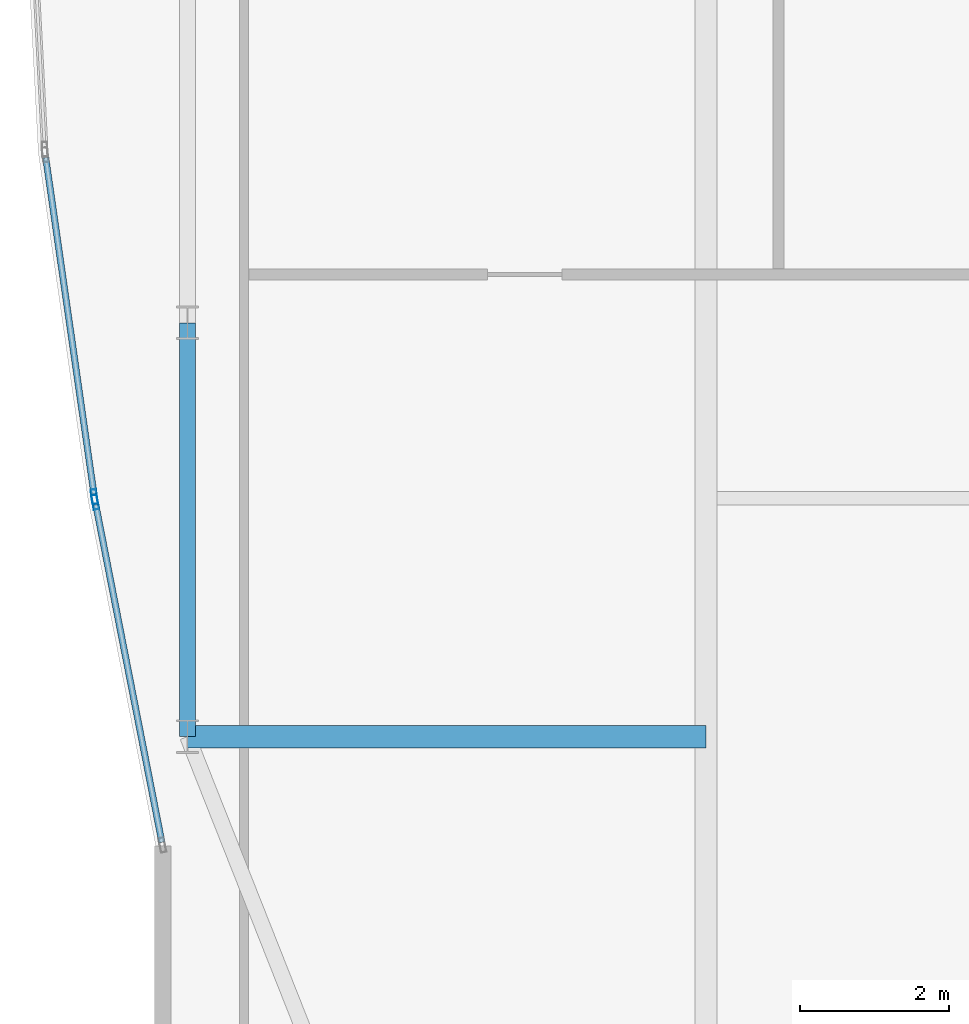
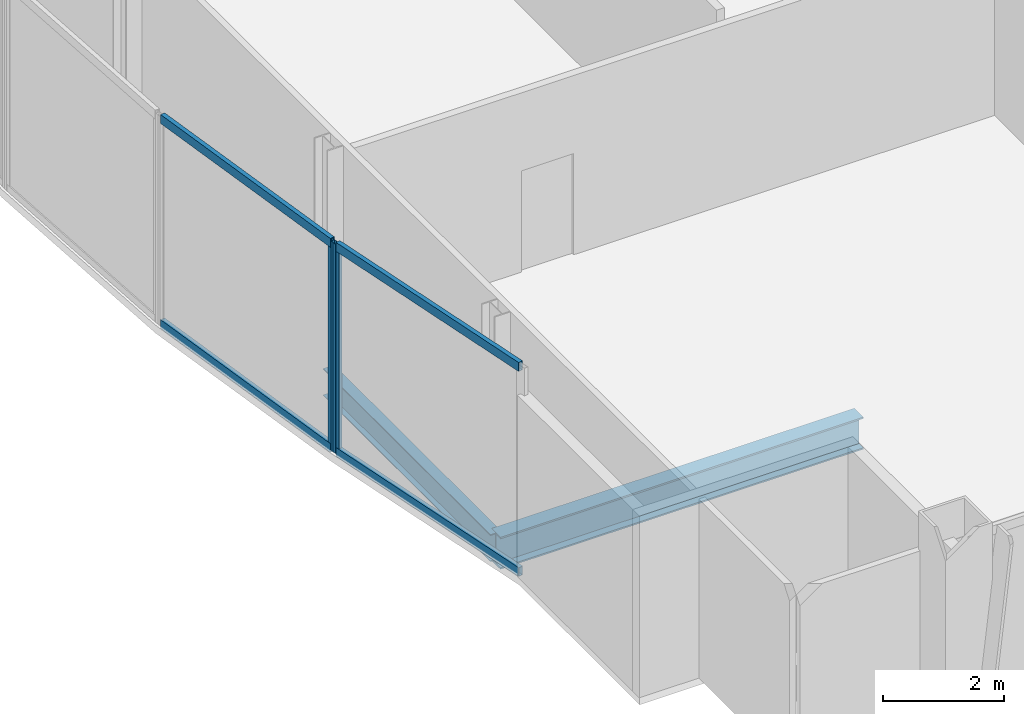
# One storey, part 5 of 27: 6 members, 2 beams, 2 elements without a shape of their own.
"""IFC4 building model written with IfcOpenShell, lengths in metres."""

from ifc_helpers import new_model, si_unit, direction, frame, origin, origin_2d, place, context, subcontext, project, spatial, hollow_rectangle, i_section, extrude, material, material_profile, profile_set, type_object, element, aggregate, save


model = new_model("IFC4")

# Units and contexts
model_context = context("Model", 3, precision=1e-05, world=origin(), true_north=direction((0.0, 1.0)))
body_context = subcontext(model_context, "Body", "Model", "MODEL_VIEW")
ifc_project = project(units=[si_unit("LENGTHUNIT", "METRE"), si_unit("AREAUNIT", "SQUARE_METRE"), si_unit("VOLUMEUNIT", "CUBIC_METRE"), si_unit("PLANEANGLEUNIT", "RADIAN"), si_unit("MASSUNIT", "GRAM", prefix="KILO")], contexts=[model_context])

# Site, building, storey
site_placement = place(None, origin())
site = spatial("IfcSite", under=ifc_project, at=site_placement, CompositionType="ELEMENT")
building_placement = place(site_placement, origin())
building = spatial("IfcBuilding", under=site, at=building_placement, Name="Khoronbel Lancet Exchange", CompositionType="ELEMENT")
storey_placement = place(building_placement, frame((0.0, 0.0, 310.199951171875)))
storey = spatial("IfcBuildingStorey", under=building, at=storey_placement, Name="L80", CompositionType="ELEMENT", Elevation=310.199951171875)

# Beams
ifc_material_1 = material(Name="Steel S355", Category="steel")
ifc_material_profile_1 = material_profile(ifc_material_1, i_section(OverallWidth=0.300048828125, OverallDepth=0.64990234375, WebThickness=0.01611328125, FlangeThickness=0.031005859375, at=origin_2d()), Name="HEB 650")
ifc_profile_set_1 = profile_set([ifc_material_profile_1], Name="Steel S355")
beam_type_1 = type_object("IfcBeamType", Name="BM-BG4", PredefinedType="BEAM", material=ifc_profile_set_1)
beam_1_placement = place(storey_placement, frame((11.27001953125, 19.199951171875, -0.48486328125), z_axis=(1.0, 0.0, 0.0), x_axis=(0.0, 1.0, 0.0)))
element("IfcBeam", 1, at=beam_1_placement, inside=storey, type_object=beam_type_1, Name="Level L80 west lens tie girder LG1W", PredefinedType="BEAM", context=body_context, shape_type="SweptSolid", body=[
    extrude(i_section(OverallWidth=0.300048828125, OverallDepth=0.64990234375, WebThickness=0.01611328125, FlangeThickness=0.031005859375, at=origin_2d()), origin(), (0.0, 0.0, 1.0), 6.955078125),
])
ifc_material_profile_2 = material_profile(ifc_material_1, i_section(OverallWidth=0.2099609375, OverallDepth=0.550048828125, WebThickness=0.010986328125, FlangeThickness=0.01708984375, at=origin_2d()), Name="IPE 550")
ifc_profile_set_2 = profile_set([ifc_material_profile_2], Name="Steel S355")
beam_type_2 = type_object("IfcBeamType", Name="BM-BSP3", PredefinedType="SPANDREL", material=ifc_profile_set_2)
beam_2_placement = place(storey_placement, frame((11.27001953125, 24.75, -0.43505859375), z_axis=(0.0, -1.0, 0.0), x_axis=(1.0, 0.0, 0.0)))
element("IfcBeam", 2, at=beam_2_placement, inside=storey, type_object=beam_type_2, Name="Level L80 perimeter spandrel beam SP18", PredefinedType="SPANDREL", context=body_context, shape_type="SweptSolid", body=[
    extrude(i_section(OverallWidth=0.2099609375, OverallDepth=0.550048828125, WebThickness=0.010986328125, FlangeThickness=0.01708984375, at=origin_2d()), origin(), (0.0, 0.0, 1.0), 5.550048828125),
])

# Curtain wall, member
ifc_material_2 = material(Name="Low-E Solar Control Insulating Glass", Category="glass")
curtain_wall_type = type_object("IfcCurtainWallType", Name="CW-4", PredefinedType="NOTDEFINED", material=ifc_material_2)
curtain_wall_1_placement = place(storey_placement, origin())
curtain_wall_1 = element("IfcCurtainWall", 3, at=curtain_wall_1_placement, inside=storey, type_object=curtain_wall_type, Name="Unitised curtain wall CW-L80-E04", PredefinedType="NOTDEFINED")
ifc_material_3 = material(Name="Bronze-Anodised Aluminium 6063-T6", Category="aluminium")
ifc_material_profile_3 = material_profile(ifc_material_3, hollow_rectangle(XDim=0.074951171875, YDim=0.199951171875, WallThickness=0.0048828125, at=origin_2d()), Name="ALU MULLION 75x200")
ifc_profile_set_3 = profile_set([ifc_material_profile_3], Name="Bronze-Anodised Aluminium 6063-T6")
member_type_1 = type_object("IfcMemberType", Name="MEM-CWM2", PredefinedType="MULLION", material=ifc_profile_set_3)
member_1_placement = place(storey_placement, frame((10.0322265625, 22.344970703125, 0.0), z_axis=(0.0, 0.0, 1.0), x_axis=(-0.981360294009, -0.192176932391, 0.0)))
member_1 = element("IfcMember", 4, at=member_1_placement, type_object=member_type_1, Name="CW4 mullion 2", PredefinedType="MULLION", context=body_context, shape_type="SweptSolid", body=[
    extrude(hollow_rectangle(XDim=0.074951171875, YDim=0.199951171875, WallThickness=0.0048828125, at=origin_2d()), origin(), (0.0, 0.0, 1.0), 4.239990234375),
])

curtain_wall_2_placement = place(storey_placement, origin())
curtain_wall_2 = element("IfcCurtainWall", 5, at=curtain_wall_2_placement, inside=storey, type_object=curtain_wall_type, Name="Unitised curtain wall CW-L80-E05", PredefinedType="NOTDEFINED")
member_2_placement = place(storey_placement, frame((10.01953125, 22.418701171875, 0.0), z_axis=(0.0, 0.0, 1.0), x_axis=(-0.989880131819, -0.141906041556, 0.0)))
member_2 = element("IfcMember", 6, at=member_2_placement, type_object=member_type_1, Name="CW4 mullion 1", PredefinedType="MULLION", context=body_context, shape_type="SweptSolid", body=[
    extrude(hollow_rectangle(XDim=0.074951171875, YDim=0.199951171875, WallThickness=0.0048828125, at=origin_2d()), origin(), (0.0, 0.0, 1.0), 4.239990234375),
])

# Member
ifc_material_profile_4 = material_profile(ifc_material_3, hollow_rectangle(XDim=0.0849609375, YDim=0.179931640625, WallThickness=0.0048828125, at=origin_2d()), Name="ALU TRANSOM 85x180")
ifc_profile_set_4 = profile_set([ifc_material_profile_4], Name="Bronze-Anodised Aluminium 6063-T6")
member_type_2 = type_object("IfcMemberType", Name="MEM-CWT1", PredefinedType="USERDEFINED", material=ifc_profile_set_4)
member_3_placement = place(storey_placement, frame((10.925537109375, 17.7822265625, 0.04248046875), z_axis=(-0.192164562526, 0.981362716282, 0.0), x_axis=(-0.981362716282, -0.192164562526, 0.0)))
member_3 = element("IfcMember", 7, at=member_3_placement, type_object=member_type_2, Name="CW4 transom 1.1", ObjectType="TRANSOM", PredefinedType="USERDEFINED", context=body_context, shape_type="SweptSolid", body=[
    extrude(hollow_rectangle(XDim=0.0849609375, YDim=0.179931640625, WallThickness=0.0048828125, at=origin_2d()), origin(), (0.0, 0.0, 1.0), 4.61181640625),
])

member_4_placement = place(storey_placement, frame((10.925537109375, 17.7822265625, 4.197509765625), z_axis=(-0.192164562526, 0.981362716282, 0.0), x_axis=(-0.981362716282, -0.192164562526, 0.0)))
member_4 = element("IfcMember", 8, at=member_4_placement, type_object=member_type_2, Name="CW4 transom 1.2", ObjectType="TRANSOM", PredefinedType="USERDEFINED", context=body_context, shape_type="SweptSolid", body=[
    extrude(hollow_rectangle(XDim=0.0849609375, YDim=0.179931640625, WallThickness=0.0048828125, at=origin_2d()), origin(), (0.0, 0.0, 1.0), 4.61181640625),
])

aggregate(curtain_wall_1, [member_1, member_3, member_4])

member_5_placement = place(storey_placement, frame((10.01416015625, 22.4560546875, 0.04248046875), z_axis=(-0.141893783761, 0.98988188898, 0.0), x_axis=(-0.98988188898, -0.141893783761, 0.0)))
member_5 = element("IfcMember", 9, at=member_5_placement, type_object=member_type_2, Name="CW4 transom 1.1", ObjectType="TRANSOM", PredefinedType="USERDEFINED", context=body_context, shape_type="SweptSolid", body=[
    extrude(hollow_rectangle(XDim=0.0849609375, YDim=0.179931640625, WallThickness=0.0048828125, at=origin_2d()), origin(), (0.0, 0.0, 1.0), 4.557861328125),
])

member_6_placement = place(storey_placement, frame((10.01416015625, 22.4560546875, 4.197509765625), z_axis=(-0.141893783761, 0.98988188898, 0.0), x_axis=(-0.98988188898, -0.141893783761, 0.0)))
member_6 = element("IfcMember", 10, at=member_6_placement, type_object=member_type_2, Name="CW4 transom 1.2", ObjectType="TRANSOM", PredefinedType="USERDEFINED", context=body_context, shape_type="SweptSolid", body=[
    extrude(hollow_rectangle(XDim=0.0849609375, YDim=0.179931640625, WallThickness=0.0048828125, at=origin_2d()), origin(), (0.0, 0.0, 1.0), 4.557861328125),
])

aggregate(curtain_wall_2, [member_2, member_5, member_6])

save(model, "model.ifc")
